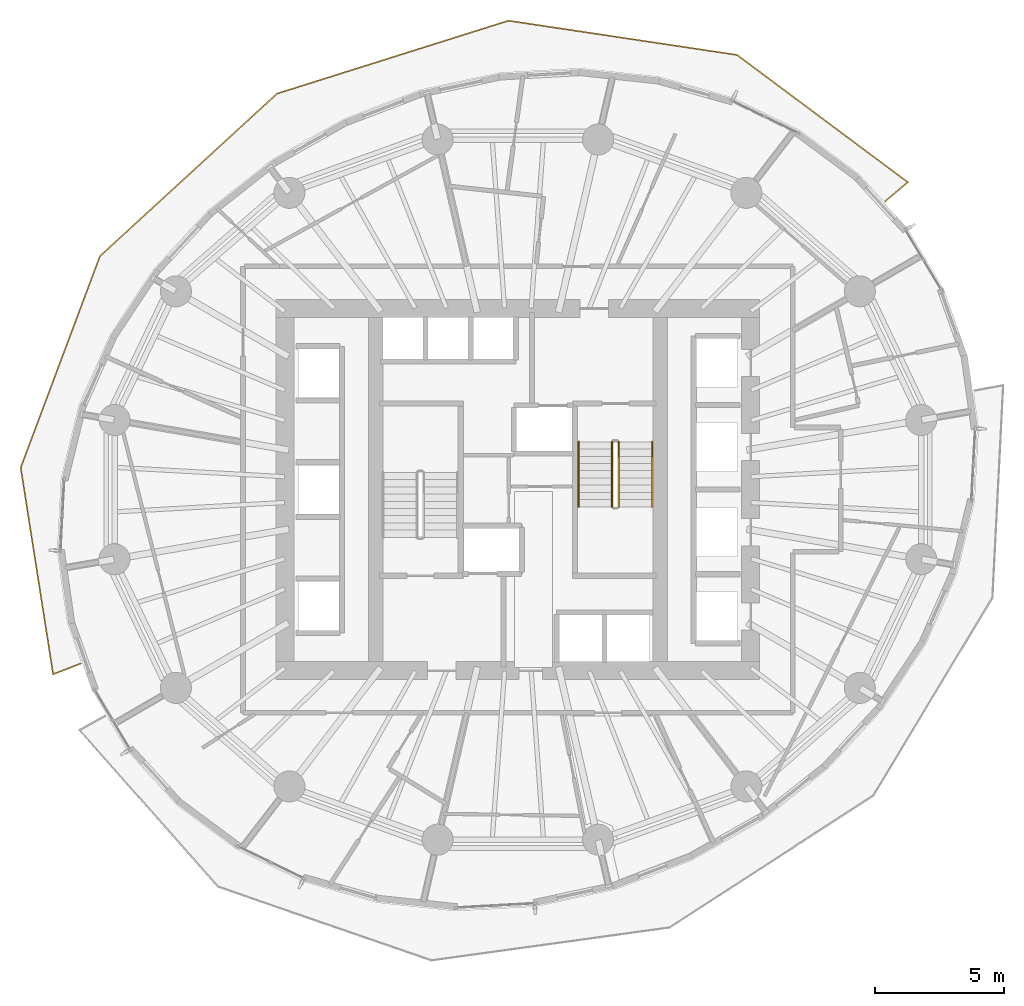
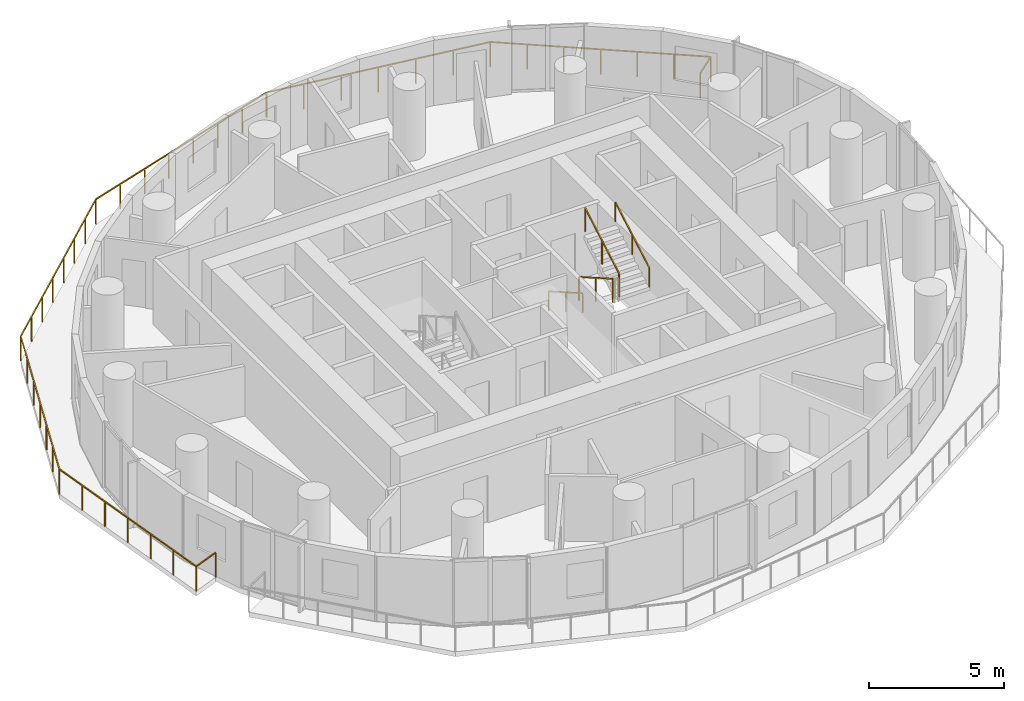
# One storey, part 14 of 15: 5 railings.
"""IFC4 building model written with IfcOpenShell, lengths in metres."""

from ifc_helpers import new_model, si_unit, direction, frame, origin, origin_2d, place, context, subcontext, project, spatial, rectangle, extrude, material, type_object, element, save


model = new_model("IFC4")

# Units and contexts
model_context = context("Model", 3, precision=1e-05, world=origin(), true_north=direction((0.0, 1.0)))
body_context = subcontext(model_context, "Body", "Model", "MODEL_VIEW")
ifc_project = project(units=[si_unit("LENGTHUNIT", "METRE"), si_unit("AREAUNIT", "SQUARE_METRE"), si_unit("VOLUMEUNIT", "CUBIC_METRE"), si_unit("PLANEANGLEUNIT", "RADIAN"), si_unit("MASSUNIT", "GRAM", prefix="KILO")], contexts=[model_context])

# Site, building, storey
site_placement = place(None, origin())
site = spatial("IfcSite", under=ifc_project, at=site_placement, CompositionType="ELEMENT")
building_placement = place(site_placement, origin())
building = spatial("IfcBuilding", under=site, at=building_placement, Name="Veldorim Arch Residences", CompositionType="ELEMENT")
storey_placement = place(building_placement, frame((0.0, 0.0, 102.8798828125)))
storey = spatial("IfcBuildingStorey", under=building, at=storey_placement, Name="L30", CompositionType="ELEMENT", Elevation=102.8798828125)

# Railings
ifc_material_1 = material(Name="Aluminium", Category="aluminium")
railing_type_1 = type_object("IfcRailingType", Name="Balcony & Terrace Laminated Glass Balustrade 1150", PredefinedType="BALUSTRADE", material=ifc_material_1)
railing_1_placement = place(storey_placement, frame((46.20166015625, 35.1455078125, 0.0)))
element("IfcRailing", 1, at=railing_1_placement, inside=storey, type_object=railing_type_1, Name="L30 crescent balcony safety balustrade A", PredefinedType="BALUSTRADE", context=body_context, shape_type="SweptSolid", body=[
    extrude(rectangle(XDim=0.048095703125, YDim=0.048095703125, at=origin_2d()), frame((0.0, 0.0, 1.1259765625), z_axis=(0.765989188314, 0.642853454051, 0.0), x_axis=(-0.642853454051, 0.765989188314, 0.0)), (0.0, 0.0, 1.0), 1.14990234375),
    extrude(rectangle(XDim=0.048095703125, YDim=0.048095703125, at=origin_2d()), frame((0.880859375, 0.7392578125, 1.1259765625), z_axis=(-0.801806269221, 0.59758405822, 0.0), x_axis=(-0.59758405822, -0.801806269221, 0.0)), (0.0, 0.0, 1.0), 8.2392578125),
    extrude(rectangle(XDim=0.048095703125, YDim=0.048095703125, at=origin_2d()), frame((-5.725341796875, 5.662841796875, 1.1259765625), z_axis=(-0.988952574984, 0.148232265154, 0.0), x_axis=(-0.148232265154, -0.988952574984, 0.0)), (0.0, 0.0, 1.0), 8.938232421875),
    extrude(rectangle(XDim=0.048095703125, YDim=0.048095703125, at=origin_2d()), frame((-14.56494140625, 6.98779296875, 1.1259765625), z_axis=(-0.953757858224, -0.300576026783, 0.0), x_axis=(0.300576026783, -0.953757858224, 0.0)), (0.0, 0.0, 1.0), 9.384765625),
    extrude(rectangle(XDim=0.048095703125, YDim=0.048095703125, at=origin_2d()), frame((-23.515625, 4.1669921875, 1.1259765625), z_axis=(-0.736760351909, -0.676153964608, 0.0), x_axis=(0.676153964608, -0.736760351909, 0.0)), (0.0, 0.0, 1.0), 9.293212890625),
    extrude(rectangle(XDim=0.048095703125, YDim=0.048095703125, at=origin_2d()), frame((-30.362548828125, -2.11669921875, 1.1259765625), z_axis=(-0.350927361337, -0.936402684247, 0.0), x_axis=(0.936402684247, -0.350927361337, 0.0)), (0.0, 0.0, 1.0), 8.733154296875),
    extrude(rectangle(XDim=0.048095703125, YDim=0.048095703125, at=origin_2d()), frame((-33.42724609375, -10.29443359375, 1.1259765625), z_axis=(0.154992596857, -0.987915631478, 0.0), x_axis=(0.987915631478, 0.154992596857, 0.0)), (0.0, 0.0, 1.0), 8.091796875),
    extrude(rectangle(XDim=0.048095703125, YDim=0.048095703125, at=origin_2d()), frame((-32.173095703125, -18.288330078125, 1.1259765625), z_axis=(0.932434312288, 0.361339526301, 0.0), x_axis=(-0.361339526301, 0.932434312288, 0.0)), (0.0, 0.0, 1.0), 1.14990234375),
    extrude(rectangle(XDim=0.0419921875, YDim=0.0419921875, at=origin_2d()), origin(), (0.0, 0.0, 1.0), 1.101806640625),
    extrude(rectangle(XDim=0.0419921875, YDim=0.0419921875, at=origin_2d()), frame((0.880859375, 0.7392578125, 0.0)), (0.0, 0.0, 1.0), 1.101806640625),
    extrude(rectangle(XDim=0.0419921875, YDim=0.0419921875, at=origin_2d()), frame((-0.22021484375, 1.559814453125, 0.0)), (0.0, 0.0, 1.0), 1.101806640625),
    extrude(rectangle(XDim=0.0419921875, YDim=0.0419921875, at=origin_2d()), frame((-1.3212890625, 2.38037109375, 0.0)), (0.0, 0.0, 1.0), 1.101806640625),
    extrude(rectangle(XDim=0.0419921875, YDim=0.0419921875, at=origin_2d()), frame((-2.42236328125, 3.201171875, 0.0)), (0.0, 0.0, 1.0), 1.101806640625),
    extrude(rectangle(XDim=0.0419921875, YDim=0.0419921875, at=origin_2d()), frame((-3.523193359375, 4.021728515625, 0.0)), (0.0, 0.0, 1.0), 1.101806640625),
    extrude(rectangle(XDim=0.0419921875, YDim=0.0419921875, at=origin_2d()), frame((-4.624267578125, 4.84228515625, 0.0)), (0.0, 0.0, 1.0), 1.101806640625),
    extrude(rectangle(XDim=0.0419921875, YDim=0.0419921875, at=origin_2d()), frame((-5.725341796875, 5.662841796875, 0.0)), (0.0, 0.0, 1.0), 1.101806640625),
    extrude(rectangle(XDim=0.0419921875, YDim=0.0419921875, at=origin_2d()), frame((-7.19873046875, 5.8837890625, 0.0)), (0.0, 0.0, 1.0), 1.101806640625),
    extrude(rectangle(XDim=0.0419921875, YDim=0.0419921875, at=origin_2d()), frame((-8.671875, 6.1044921875, 0.0)), (0.0, 0.0, 1.0), 1.101806640625),
    extrude(rectangle(XDim=0.0419921875, YDim=0.0419921875, at=origin_2d()), frame((-10.14501953125, 6.3251953125, 0.0)), (0.0, 0.0, 1.0), 1.101806640625),
    extrude(rectangle(XDim=0.0419921875, YDim=0.0419921875, at=origin_2d()), frame((-11.618408203125, 6.546142578125, 0.0)), (0.0, 0.0, 1.0), 1.101806640625),
    extrude(rectangle(XDim=0.0419921875, YDim=0.0419921875, at=origin_2d()), frame((-13.091796875, 6.76708984375, 0.0)), (0.0, 0.0, 1.0), 1.101806640625),
    extrude(rectangle(XDim=0.0419921875, YDim=0.0419921875, at=origin_2d()), frame((-14.56494140625, 6.98779296875, 0.0)), (0.0, 0.0, 1.0), 1.101806640625),
    extrude(rectangle(XDim=0.0419921875, YDim=0.0419921875, at=origin_2d()), frame((-15.843505859375, 6.584716796875, 0.0)), (0.0, 0.0, 1.0), 1.101806640625),
    extrude(rectangle(XDim=0.0419921875, YDim=0.0419921875, at=origin_2d()), frame((-17.122314453125, 6.181884765625, 0.0)), (0.0, 0.0, 1.0), 1.101806640625),
    extrude(rectangle(XDim=0.0419921875, YDim=0.0419921875, at=origin_2d()), frame((-18.40087890625, 5.77880859375, 0.0)), (0.0, 0.0, 1.0), 1.101806640625),
    extrude(rectangle(XDim=0.0419921875, YDim=0.0419921875, at=origin_2d()), frame((-19.6796875, 5.3759765625, 0.0)), (0.0, 0.0, 1.0), 1.101806640625),
    extrude(rectangle(XDim=0.0419921875, YDim=0.0419921875, at=origin_2d()), frame((-20.958251953125, 4.972900390625, 0.0)), (0.0, 0.0, 1.0), 1.101806640625),
    extrude(rectangle(XDim=0.0419921875, YDim=0.0419921875, at=origin_2d()), frame((-22.237060546875, 4.570068359375, 0.0)), (0.0, 0.0, 1.0), 1.101806640625),
    extrude(rectangle(XDim=0.0419921875, YDim=0.0419921875, at=origin_2d()), frame((-23.515625, 4.1669921875, 0.0)), (0.0, 0.0, 1.0), 1.101806640625),
    extrude(rectangle(XDim=0.0419921875, YDim=0.0419921875, at=origin_2d()), frame((-24.49365234375, 3.269287109375, 0.0)), (0.0, 0.0, 1.0), 1.101806640625),
    extrude(rectangle(XDim=0.0419921875, YDim=0.0419921875, at=origin_2d()), frame((-25.471923828125, 2.37158203125, 0.0)), (0.0, 0.0, 1.0), 1.101806640625),
    extrude(rectangle(XDim=0.0419921875, YDim=0.0419921875, at=origin_2d()), frame((-26.449951171875, 1.473876953125, 0.0)), (0.0, 0.0, 1.0), 1.101806640625),
    extrude(rectangle(XDim=0.0419921875, YDim=0.0419921875, at=origin_2d()), frame((-27.42822265625, 0.576416015625, 0.0)), (0.0, 0.0, 1.0), 1.101806640625),
    extrude(rectangle(XDim=0.0419921875, YDim=0.0419921875, at=origin_2d()), frame((-28.40625, -0.3212890625, 0.0)), (0.0, 0.0, 1.0), 1.101806640625),
    extrude(rectangle(XDim=0.0419921875, YDim=0.0419921875, at=origin_2d()), frame((-29.384521484375, -1.218994140625, 0.0)), (0.0, 0.0, 1.0), 1.101806640625),
    extrude(rectangle(XDim=0.0419921875, YDim=0.0419921875, at=origin_2d()), frame((-30.362548828125, -2.11669921875, 0.0)), (0.0, 0.0, 1.0), 1.101806640625),
    extrude(rectangle(XDim=0.0419921875, YDim=0.0419921875, at=origin_2d()), frame((-30.873291015625, -3.479736328125, 0.0)), (0.0, 0.0, 1.0), 1.101806640625),
    extrude(rectangle(XDim=0.0419921875, YDim=0.0419921875, at=origin_2d()), frame((-31.384033203125, -4.842529296875, 0.0)), (0.0, 0.0, 1.0), 1.101806640625),
    extrude(rectangle(XDim=0.0419921875, YDim=0.0419921875, at=origin_2d()), frame((-31.89501953125, -6.20556640625, 0.0)), (0.0, 0.0, 1.0), 1.101806640625),
    extrude(rectangle(XDim=0.0419921875, YDim=0.0419921875, at=origin_2d()), frame((-32.40576171875, -7.568603515625, 0.0)), (0.0, 0.0, 1.0), 1.101806640625),
    extrude(rectangle(XDim=0.0419921875, YDim=0.0419921875, at=origin_2d()), frame((-32.91650390625, -8.931396484375, 0.0)), (0.0, 0.0, 1.0), 1.101806640625),
    extrude(rectangle(XDim=0.0419921875, YDim=0.0419921875, at=origin_2d()), frame((-33.42724609375, -10.29443359375, 0.0)), (0.0, 0.0, 1.0), 1.101806640625),
    extrude(rectangle(XDim=0.0419921875, YDim=0.0419921875, at=origin_2d()), frame((-33.21826171875, -11.626708984375, 0.0)), (0.0, 0.0, 1.0), 1.101806640625),
    extrude(rectangle(XDim=0.0419921875, YDim=0.0419921875, at=origin_2d()), frame((-33.00927734375, -12.958984375, 0.0)), (0.0, 0.0, 1.0), 1.101806640625),
    extrude(rectangle(XDim=0.0419921875, YDim=0.0419921875, at=origin_2d()), frame((-32.80029296875, -14.29150390625, 0.0)), (0.0, 0.0, 1.0), 1.101806640625),
    extrude(rectangle(XDim=0.0419921875, YDim=0.0419921875, at=origin_2d()), frame((-32.591064453125, -15.623779296875, 0.0)), (0.0, 0.0, 1.0), 1.101806640625),
    extrude(rectangle(XDim=0.0419921875, YDim=0.0419921875, at=origin_2d()), frame((-32.382080078125, -16.9560546875, 0.0)), (0.0, 0.0, 1.0), 1.101806640625),
    extrude(rectangle(XDim=0.0419921875, YDim=0.0419921875, at=origin_2d()), frame((-32.173095703125, -18.288330078125, 0.0)), (0.0, 0.0, 1.0), 1.101806640625),
    extrude(rectangle(XDim=0.0419921875, YDim=0.0419921875, at=origin_2d()), frame((-31.100830078125, -17.872802734375, 0.0)), (0.0, 0.0, 1.0), 1.101806640625),
])
ifc_material_2 = material(Name="Steel S355", Category="steel")
railing_type_2 = type_object("IfcRailingType", Name="Galvanised Steel Stair Safety Guardrail 1100", PredefinedType="GUARDRAIL", material=ifc_material_2)
railing_2_placement = place(storey_placement, frame((35.639892578125, 25.85009765625, 0.16015625)))
element("IfcRailing", 2, at=railing_2_placement, inside=storey, type_object=railing_type_2, Name="L30 ST-2 stair guard 1", PredefinedType="GUARDRAIL", context=body_context, shape_type="SweptSolid", body=[
    extrude(rectangle(XDim=0.048095703125, YDim=0.048095703125, at=origin_2d()), frame((0.0, 0.0, 1.076171875), z_axis=(0.0, -0.868253494771, 0.496120820787), x_axis=(1.0, 0.0, 0.0)), (0.0, 0.0, 1.0), 2.90234375),
    extrude(rectangle(XDim=0.0419921875, YDim=0.0419921875, at=origin_2d()), origin(), (0.0, 0.0, 1.0), 1.052001953125),
    extrude(rectangle(XDim=0.0419921875, YDim=0.0419921875, at=origin_2d()), frame((0.0, -1.260009765625, 0.719970703125)), (0.0, 0.0, 1.0), 1.052001953125),
    extrude(rectangle(XDim=0.0419921875, YDim=0.0419921875, at=origin_2d()), frame((0.0, -2.52001953125, 1.43994140625)), (0.0, 0.0, 1.0), 1.052001953125),
])
railing_3_placement = place(storey_placement, frame((35.89990234375, 23.330078125, 1.760009765625)))
element("IfcRailing", 3, at=railing_3_placement, inside=storey, type_object=railing_type_2, Name="L30 ST-2 stair guard 3", PredefinedType="GUARDRAIL", context=body_context, shape_type="SweptSolid", body=[
    extrude(rectangle(XDim=0.048095703125, YDim=0.048095703125, at=origin_2d()), frame((0.0, 0.0, 1.076171875), z_axis=(0.0, 0.868217259934, 0.496184229447), x_axis=(-1.0, 0.0, 0.0)), (0.0, 0.0, 1.0), 2.902587890625),
    extrude(rectangle(XDim=0.0419921875, YDim=0.0419921875, at=origin_2d()), origin(), (0.0, 0.0, 1.0), 1.052001953125),
    extrude(rectangle(XDim=0.0419921875, YDim=0.0419921875, at=origin_2d()), frame((0.0, 1.260009765625, 0.72021484375)), (0.0, 0.0, 1.0), 1.052001953125),
    extrude(rectangle(XDim=0.0419921875, YDim=0.0419921875, at=origin_2d()), frame((0.0, 2.52001953125, 1.440185546875)), (0.0, 0.0, 1.0), 1.052001953125),
])
ifc_material_3 = material(Name="Stainless Steel", Category="steel")
railing_type_3 = type_object("IfcRailingType", Name="Tubular Steel Continuous Wall Handrail 900", PredefinedType="HANDRAIL", material=ifc_material_3)
railing_4_placement = place(storey_placement, frame((34.340087890625, 25.85009765625, 0.16015625)))
element("IfcRailing", 4, at=railing_4_placement, inside=storey, type_object=railing_type_3, Name="L30 ST-2 stair handrail 1", PredefinedType="HANDRAIL", context=body_context, shape_type="SweptSolid", body=[
    extrude(rectangle(XDim=0.048095703125, YDim=0.048095703125, at=origin_2d()), frame((0.0, 0.0, 0.8759765625), z_axis=(0.0, -0.868253494771, 0.496120820787), x_axis=(1.0, 0.0, 0.0)), (0.0, 0.0, 1.0), 2.90234375),
    extrude(rectangle(XDim=0.0419921875, YDim=0.0419921875, at=origin_2d()), origin(), (0.0, 0.0, 1.0), 0.851806640625),
    extrude(rectangle(XDim=0.0419921875, YDim=0.0419921875, at=origin_2d()), frame((0.0, -1.260009765625, 0.719970703125)), (0.0, 0.0, 1.0), 0.851806640625),
    extrude(rectangle(XDim=0.0419921875, YDim=0.0419921875, at=origin_2d()), frame((0.0, -2.52001953125, 1.43994140625)), (0.0, 0.0, 1.0), 0.851806640625),
])
railing_5_placement = place(storey_placement, frame((37.199951171875, 23.330078125, 1.760009765625)))
element("IfcRailing", 5, at=railing_5_placement, inside=storey, type_object=railing_type_3, Name="L30 ST-2 stair handrail 2", PredefinedType="HANDRAIL", context=body_context, shape_type="SweptSolid", body=[
    extrude(rectangle(XDim=0.048095703125, YDim=0.048095703125, at=origin_2d()), frame((0.0, 0.0, 0.8759765625), z_axis=(0.0, 0.868217259934, 0.496184229447), x_axis=(-1.0, 0.0, 0.0)), (0.0, 0.0, 1.0), 2.902587890625),
    extrude(rectangle(XDim=0.0419921875, YDim=0.0419921875, at=origin_2d()), origin(), (0.0, 0.0, 1.0), 0.851806640625),
    extrude(rectangle(XDim=0.0419921875, YDim=0.0419921875, at=origin_2d()), frame((0.0, 1.260009765625, 0.72021484375)), (0.0, 0.0, 1.0), 0.851806640625),
    extrude(rectangle(XDim=0.0419921875, YDim=0.0419921875, at=origin_2d()), frame((0.0, 2.52001953125, 1.440185546875)), (0.0, 0.0, 1.0), 0.851806640625),
])

save(model, "model.ifc")
